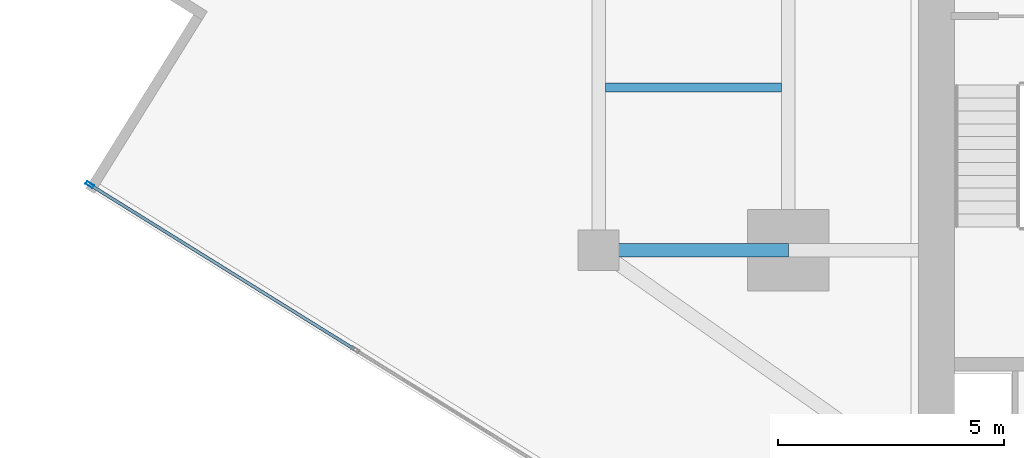
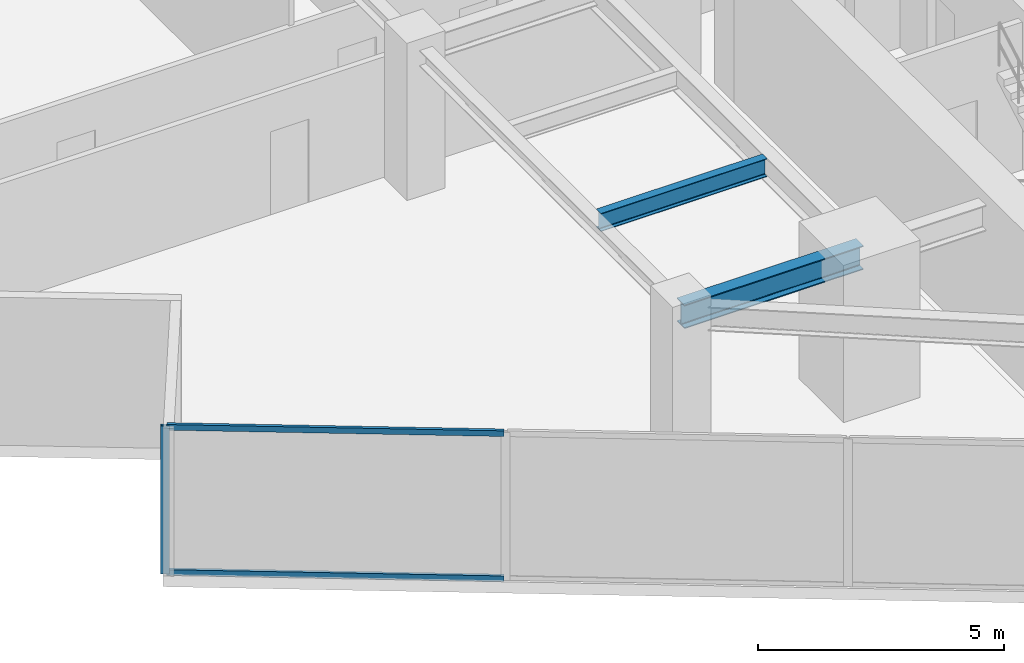
# One storey, part 5 of 26: 3 members, 2 beams, 1 element without a shape of its own.
"""IFC4 building model written with IfcOpenShell, lengths in metres."""

from ifc_helpers import new_model, si_unit, direction, frame, origin, origin_2d, place, context, subcontext, project, spatial, hollow_rectangle, i_section, extrude, source, transform, mapped, material, material_profile, profile_set, type_object, type_shapes, element, aggregate, save


model = new_model("IFC4")

# Units and contexts
model_context = context("Model", 3, precision=1e-05, world=origin(), true_north=direction((0.0, 1.0)))
body_context = subcontext(model_context, "Body", "Model", "MODEL_VIEW")
ifc_project = project(units=[si_unit("LENGTHUNIT", "METRE"), si_unit("AREAUNIT", "SQUARE_METRE"), si_unit("VOLUMEUNIT", "CUBIC_METRE"), si_unit("PLANEANGLEUNIT", "RADIAN"), si_unit("MASSUNIT", "GRAM", prefix="KILO")], contexts=[model_context])

# Site, building, storey
site_placement = place(None, origin())
site = spatial("IfcSite", under=ifc_project, at=site_placement, CompositionType="ELEMENT")
building_placement = place(site_placement, origin())
building = spatial("IfcBuilding", under=site, at=building_placement, Name="Krantzveldt Concourse Tower", CompositionType="ELEMENT")
storey_placement = place(building_placement, frame((0.0, 0.0, 173.85009765625)))
storey = spatial("IfcBuildingStorey", under=building, at=storey_placement, Name="L42", CompositionType="ELEMENT", Elevation=173.85009765625)

# Beams
ifc_material_1 = material(Name="Steel S355JR", Category="steel")
ifc_material_profile_1 = material_profile(ifc_material_1, i_section(OverallWidth=0.300048828125, OverallDepth=0.590087890625, WebThickness=0.012939453125, FlangeThickness=0.02490234375, FilletRadius=0.027099609375, at=origin_2d()), Name="Steel S355JR", Category="steel")
ifc_profile_set_1 = profile_set([ifc_material_profile_1], Name="Steel S355JR - HEA 600")
beam_type_1 = type_object("IfcBeamType", Name="BM-B-HEA600", PredefinedType="BEAM", material=ifc_profile_set_1)
shared_shape_1 = source(origin(), body_context, "Body", "SweptSolid", [
    extrude(i_section(OverallWidth=0.300048828125, OverallDepth=0.590087890625, WebThickness=0.012939453125, FlangeThickness=0.02490234375, FilletRadius=0.027099609375, at=origin_2d()), origin(), (0.0, 0.0, 1.0), 4.199951171875),
])
type_shapes(beam_type_1, [shared_shape_1])
beam_1_placement = place(storey_placement, frame((21.0, 15.89990234375, 3.375), z_axis=(1.0, 0.0, 0.0), x_axis=(0.0, 1.0, 0.0)))
element("IfcBeam", 1, at=beam_1_placement, inside=storey, type_object=beam_type_1, Name="L42 Tower Girder BR-RL1", PredefinedType="BEAM", context=body_context, shape_type="MappedRepresentation", body=[
    mapped(shared_shape_1, transform((0.0, 0.0, 0.0), x_axis=(1.0, 0.0, 0.0), y_axis=(0.0, 1.0, 0.0), z_axis=(0.0, 0.0, 1.0), scale=1.0)),
])
ifc_material_profile_2 = material_profile(ifc_material_1, i_section(OverallWidth=0.18994140625, OverallDepth=0.449951171875, WebThickness=0.009521484375, FlangeThickness=0.0146484375, FilletRadius=0.02099609375, at=origin_2d()), Name="Steel S355JR", Category="steel")
ifc_profile_set_2 = profile_set([ifc_material_profile_2], Name="Steel S355JR - IPE 450")
beam_type_2 = type_object("IfcBeamType", Name="BM-J-IPE450", PredefinedType="JOIST", material=ifc_profile_set_2)
shared_shape_2 = source(origin(), body_context, "Body", "SweptSolid", [
    extrude(i_section(OverallWidth=0.18994140625, OverallDepth=0.449951171875, WebThickness=0.009521484375, FlangeThickness=0.0146484375, FilletRadius=0.02099609375, at=origin_2d()), origin(), (0.0, 0.0, 1.0), 3.900146484375),
])
type_shapes(beam_type_2, [shared_shape_2])
beam_2_placement = place(storey_placement, frame((21.14990234375, 19.5, 3.44482421875), z_axis=(1.0, 0.0, 0.0), x_axis=(0.0, 1.0, 0.0)))
element("IfcBeam", 2, at=beam_2_placement, inside=storey, type_object=beam_type_2, Name="L42 Secondary Floor Joist JW-1", PredefinedType="JOIST", context=body_context, shape_type="MappedRepresentation", body=[
    mapped(shared_shape_2, transform((0.0, 0.0, 0.0), x_axis=(1.0, 0.0, 0.0), y_axis=(0.0, 1.0, 0.0), z_axis=(0.0, 0.0, 1.0), scale=1.0)),
])

# Curtain wall, members
ifc_material_2 = material(Name="Anodised aluminium 6063-T6", Category="aluminium")
curtain_wall_type = type_object("IfcCurtainWallType", Name="CW3", PredefinedType="USERDEFINED", material=ifc_material_2)
curtain_wall_placement = place(storey_placement, origin())
curtain_wall = element("IfcCurtainWall", 3, at=curtain_wall_placement, inside=storey, type_object=curtain_wall_type, Name="CW-L42-F04", ObjectType="UNITISED CURTAIN WALL", PredefinedType="USERDEFINED")
ifc_material_profile_3 = material_profile(ifc_material_2, hollow_rectangle(XDim=0.070068359375, YDim=0.179931640625, WallThickness=0.0048828125, at=origin_2d()), Name="Anodised aluminium 6063-T6", Category="aluminium")
ifc_profile_set_3 = profile_set([ifc_material_profile_3], Name="Anodised aluminium 6063-T6 - ALU-MULL 180x70x5")
member_type_1 = type_object("IfcMemberType", Name="CW-MUL-180", PredefinedType="MULLION", material=ifc_profile_set_3)
shared_shape_3 = source(origin(), body_context, "Body", "SweptSolid", [
    extrude(hollow_rectangle(XDim=0.070068359375, YDim=0.179931640625, WallThickness=0.0048828125, at=origin_2d()), origin(), (0.0, 0.0, 1.0), 3.669921875),
])
type_shapes(member_type_1, [shared_shape_3])
member_1_placement = place(storey_placement, frame((9.736572265625, 17.348876953125, 0.0), z_axis=(0.0, 0.0, 1.0), x_axis=(0.528067901977, 0.84920214961, 0.0)))
member_1 = element("IfcMember", 4, at=member_1_placement, type_object=member_type_1, Name="CW-Z34 mullion 1", PredefinedType="MULLION", context=body_context, shape_type="MappedRepresentation", body=[
    mapped(shared_shape_3, transform((0.0, 0.0, 0.0), x_axis=(1.0, 0.0, 0.0), y_axis=(0.0, 1.0, 0.0), z_axis=(0.0, 0.0, 1.0), scale=1.0)),
])
ifc_material_profile_4 = material_profile(ifc_material_2, hollow_rectangle(XDim=0.070068359375, YDim=0.139892578125, WallThickness=0.0048828125, at=origin_2d()), Name="Anodised aluminium 6063-T6", Category="aluminium")
ifc_profile_set_4 = profile_set([ifc_material_profile_4], Name="Anodised aluminium 6063-T6 - ALU-TRAN 140x70x5")
member_type_2 = type_object("IfcMemberType", Name="CW-TRN-150", PredefinedType="USERDEFINED", material=ifc_profile_set_4)
shared_shape_4 = source(origin(), body_context, "Body", "SweptSolid", [
    extrude(hollow_rectangle(XDim=0.070068359375, YDim=0.139892578125, WallThickness=0.0048828125, at=origin_2d()), origin(), (0.0, 0.0, 1.0), 6.85498046875),
])
type_shapes(member_type_2, [shared_shape_4])
member_2_placement = place(storey_placement, frame((9.76611328125, 17.330322265625, 0.034912109375), z_axis=(0.849204609246, -0.52806394654, 0.0), x_axis=(0.52806394654, 0.849204609246, 0.0)))
member_2 = element("IfcMember", 5, at=member_2_placement, type_object=member_type_2, Name="CW-Z34 transom 1.1", ObjectType="TRANSOM", PredefinedType="USERDEFINED", context=body_context, shape_type="MappedRepresentation", body=[
    mapped(shared_shape_4, transform((0.0, 0.0, 0.0), x_axis=(1.0, 0.0, 0.0), y_axis=(0.0, 1.0, 0.0), z_axis=(0.0, 0.0, 1.0), scale=1.0)),
])
member_3_placement = place(storey_placement, frame((9.76611328125, 17.330322265625, 3.635009765625), z_axis=(0.849204609246, -0.52806394654, 0.0), x_axis=(0.52806394654, 0.849204609246, 0.0)))
member_3 = element("IfcMember", 6, at=member_3_placement, type_object=member_type_2, Name="CW-Z34 transom 1.2", ObjectType="TRANSOM", PredefinedType="USERDEFINED", context=body_context, shape_type="MappedRepresentation", body=[
    mapped(shared_shape_4, transform((0.0, 0.0, 0.0), x_axis=(1.0, 0.0, 0.0), y_axis=(0.0, 1.0, 0.0), z_axis=(0.0, 0.0, 1.0), scale=1.0)),
])
aggregate(curtain_wall, [member_1, member_2, member_3])

save(model, "model.ifc")
